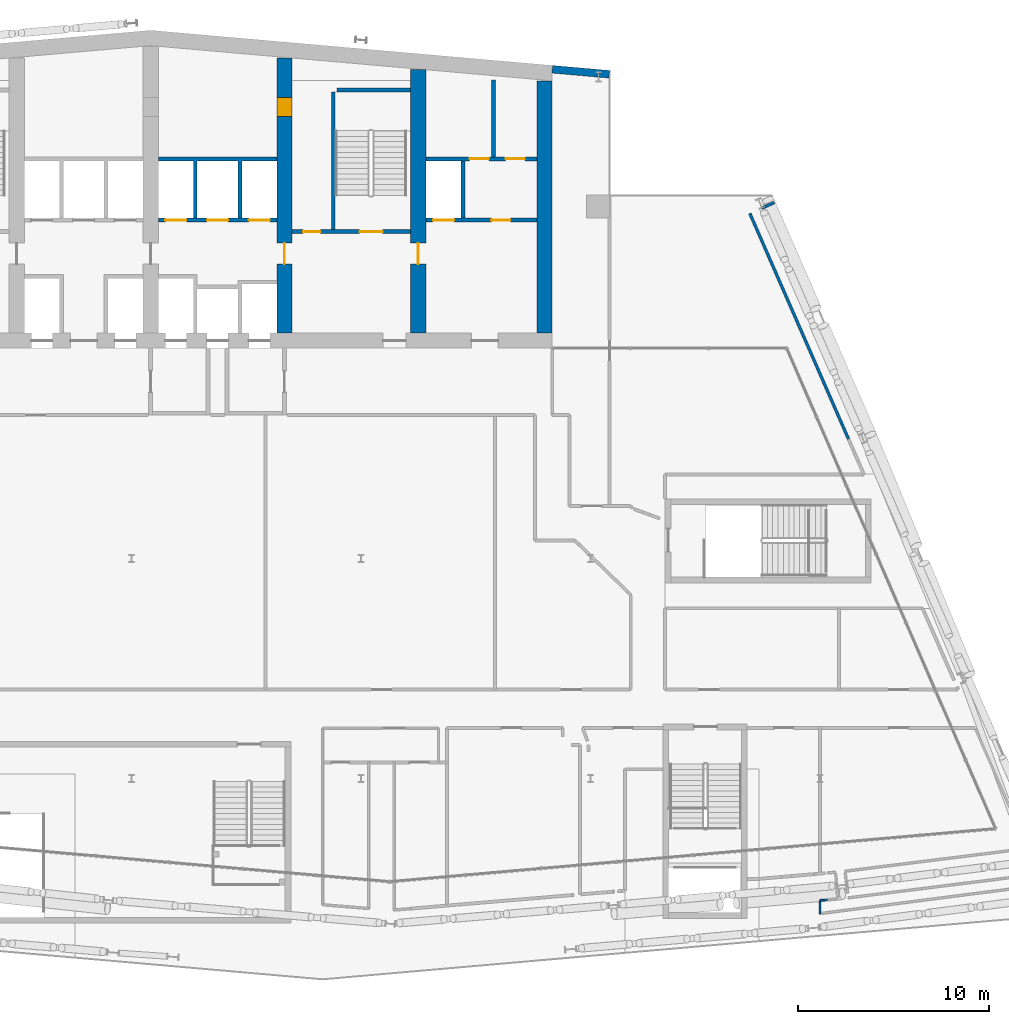
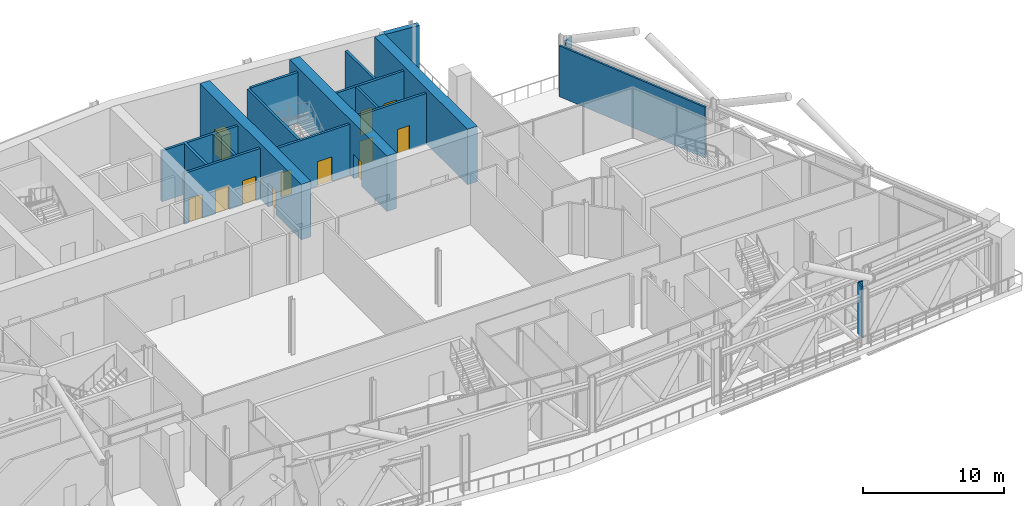
# One storey, part 17 of 35: 17 walls, 12 doors, 12 openings.
"""IFC4 building model written with IfcOpenShell, lengths in metres."""

from ifc_helpers import new_model, si_unit, direction, frame, frame_2d, origin, place, context, subcontext, project, spatial, polyline, rectangle, outline, extrude, material, layer, layer_set, type_object, element, fill, save


model = new_model("IFC4")

# Units and contexts
model_context = context("Model", 3, precision=1e-05, world=origin(), true_north=direction((0.0, 1.0)))
body_context = subcontext(model_context, "Body", "Model", "MODEL_VIEW")
ifc_project = project(units=[si_unit("LENGTHUNIT", "METRE"), si_unit("AREAUNIT", "SQUARE_METRE"), si_unit("VOLUMEUNIT", "CUBIC_METRE"), si_unit("PLANEANGLEUNIT", "RADIAN"), si_unit("MASSUNIT", "GRAM", prefix="KILO")], contexts=[model_context])

# Site, building, storey
site_placement = place(None, origin())
site = spatial("IfcSite", under=ifc_project, at=site_placement, CompositionType="ELEMENT")
building_placement = place(site_placement, origin())
building = spatial("IfcBuilding", under=site, at=building_placement, Name="Wharfspan Tower", CompositionType="ELEMENT")
storey_placement = place(building_placement, frame((0.0, 0.0, 202.300049)))
storey = spatial("IfcBuildingStorey", under=building, at=storey_placement, Name="L50", CompositionType="ELEMENT", Elevation=202.300049)

# Wall
ifc_material_1 = material(Name="Calcium silicate masonry", Category="masonry")
ifc_layer_1 = layer(ifc_material_1, 0.199951)
ifc_layer_set_1 = layer_set([ifc_layer_1], Name="Calcium silicate masonry")
wall_type_1 = type_object("IfcWallType", Name="Core room wall 200", PredefinedType="PARTITIONING", material=ifc_layer_set_1)
wall_1_placement = place(storey_placement, frame((54.93335, 44.0, 0.0), z_axis=(0.0, 0.0, 1.0), x_axis=(0.0, 1.0, 0.0)))
element("IfcWall", 1, at=wall_1_placement, inside=storey, type_object=wall_type_1, Name="sw:L50:RP6.1", PredefinedType="PARTITIONING", context=body_context, shape_type="SweptSolid", body=[
    extrude(rectangle(XDim=4.03418, YDim=0.199951, at=frame_2d((2.01709, 0.0))), origin(), (0.0, 0.0, 1.0), 4.399902),
])

# Wall, openings, doors
ifc_material_2 = material(Name="Concrete C60/75", Category="concrete")
ifc_layer_2 = layer(ifc_material_2, 0.800049)
ifc_layer_set_2 = layer_set([ifc_layer_2], Name="Concrete C60/75")
wall_type_2 = type_object("IfcWallType", Name="Core wall 800 C60/75", PredefinedType="SHEAR", material=ifc_layer_set_2)
wall_2_placement = place(storey_placement, frame((44.0, 34.800049, 0.0), z_axis=(0.0, 0.0, 1.0), x_axis=(0.0, 1.0, 0.0)))
wall_2 = element("IfcWall", 2, at=wall_2_placement, inside=storey, type_object=wall_type_2, Name="Core cross wall X5 L50", PredefinedType="SHEAR", context=body_context, shape_type="SweptSolid", body=[
    extrude(rectangle(XDim=14.374023, YDim=0.800049, at=frame_2d((7.187012, 0.0))), origin(), (0.0, 0.0, 1.0), 4.800049),
])
opening_1_placement = place(wall_2_placement, frame((11.312012, 0.0, 0.0)))
opening_1 = element("IfcOpeningElement", 3, at=opening_1_placement, cuts=wall_2, Name="Opening CD50.4X", PredefinedType="OPENING", context=body_context, shape_type="SweptSolid", body=[
    extrude(rectangle(XDim=1.0, YDim=2.100098, at=frame_2d((0.5, 1.050049))), frame((0.0, 0.409912, 0.0), z_axis=(0.0, -1.0, 0.0), x_axis=(1.0, 0.0, 0.0)), (0.0, 0.0, 1.0), 0.820068),
])
opening_2_placement = place(wall_2_placement, frame((3.600098, 0.0, 0.0)))
opening_2 = element("IfcOpeningElement", 4, at=opening_2_placement, cuts=wall_2, Name="Opening CC50.5", PredefinedType="OPENING", context=body_context, shape_type="SweptSolid", body=[
    extrude(rectangle(XDim=1.100098, YDim=2.100098, at=frame_2d((0.550049, 1.050049))), frame((0.0, 0.409912, 0.0), z_axis=(0.0, -1.0, 0.0), x_axis=(1.0, 0.0, 0.0)), (0.0, 0.0, 1.0), 0.820068),
])
ifc_material_3 = material(Name="Steel door leaf", Category="steel")
door_type_1 = type_object("IfcDoorType", Name="Core corridor door 1100x2100", OperationType="SINGLE_SWING_LEFT", PredefinedType="DOOR", material=ifc_material_3)
door_1_placement = place(opening_2_placement, origin())
door_1 = element("IfcDoor", 5, at=door_1_placement, inside=storey, type_object=door_type_1, Name="xd:L50:5", OperationType="SINGLE_SWING_LEFT", OverallHeight=2.100098, OverallWidth=1.100098, PredefinedType="DOOR", context=body_context, shape_type="SweptSolid", body=[
    extrude(rectangle(XDim=1.100098, YDim=2.100098, at=frame_2d((0.550049, 1.050049))), frame((0.0, 0.024902, 0.0), z_axis=(0.0, -1.0, 0.0), x_axis=(1.0, 0.0, 0.0)), (0.0, 0.0, 1.0), 0.050049),
])
fill(opening_2, door_1)
door_type_2 = type_object("IfcDoorType", Name="Core room door 1000x2100", OperationType="SINGLE_SWING_LEFT", PredefinedType="DOOR", material=ifc_material_3)
door_2_placement = place(opening_1_placement, origin())
door_2 = element("IfcDoor", 6, at=door_2_placement, inside=storey, type_object=door_type_2, Name="d:L50:4:sx", OperationType="SINGLE_SWING_LEFT", OverallHeight=2.100098, OverallWidth=1.0, PredefinedType="DOOR", context=body_context, shape_type="SweptSolid", body=[
    extrude(rectangle(XDim=1.0, YDim=2.100098, at=frame_2d((0.5, 1.050049))), frame((0.0, 0.399902, 0.0), z_axis=(0.0, -1.0, 0.0), x_axis=(1.0, 0.0, 0.0)), (0.0, 0.0, 1.0), 0.799561),
])
fill(opening_1, door_2)

# Wall, opening, door
wall_3_placement = place(storey_placement, frame((51.0, 34.800049, 0.0), z_axis=(0.0, 0.0, 1.0), x_axis=(0.0, 1.0, 0.0)))
wall_3 = element("IfcWall", 7, at=wall_3_placement, inside=storey, type_object=wall_type_2, Name="Core cross wall X6 L50", PredefinedType="SHEAR", context=body_context, shape_type="SweptSolid", body=[
    extrude(rectangle(XDim=13.761719, YDim=0.800049, at=frame_2d((6.880859, 0.0))), origin(), (0.0, 0.0, 1.0), 4.800049),
])
opening_3_placement = place(wall_3_placement, frame((3.600098, 0.0, 0.0)))
opening_3 = element("IfcOpeningElement", 8, at=opening_3_placement, cuts=wall_3, Name="Opening CC50.6", PredefinedType="OPENING", context=body_context, shape_type="SweptSolid", body=[
    extrude(rectangle(XDim=1.100098, YDim=2.100098, at=frame_2d((0.550049, 1.050049))), frame((0.0, 0.409912, 0.0), z_axis=(0.0, -1.0, 0.0), x_axis=(1.0, 0.0, 0.0)), (0.0, 0.0, 1.0), 0.820068),
])
door_3_placement = place(opening_3_placement, origin())
door_3 = element("IfcDoor", 9, at=door_3_placement, inside=storey, type_object=door_type_1, Name="xd:L50:6", OperationType="SINGLE_SWING_RIGHT", OverallHeight=2.100098, OverallWidth=1.100098, PredefinedType="DOOR", context=body_context, shape_type="SweptSolid", body=[
    extrude(rectangle(XDim=1.100098, YDim=2.100098, at=frame_2d((0.550049, 1.050049))), frame((0.0, 0.024902, 0.0), z_axis=(0.0, -1.0, 0.0), x_axis=(1.0, 0.0, 0.0)), (0.0, 0.0, 1.0), 0.050049),
])
fill(opening_3, door_3)

# Wall
wall_4_placement = place(storey_placement, frame((57.600098, 34.800049, 0.0), z_axis=(0.0, 0.0, 1.0), x_axis=(0.0, 1.0, 0.0)))
element("IfcWall", 10, at=wall_4_placement, inside=storey, type_object=wall_type_2, Name="Core cross wall EW1 L50", PredefinedType="SHEAR", context=body_context, shape_type="SweptSolid", body=[
    extrude(rectangle(XDim=13.184326, YDim=0.800049, at=frame_2d((6.592285, 0.0))), origin(), (0.0, 0.0, 1.0), 4.800049),
])

# Wall, openings, doors
ifc_material_4 = material(Name="Concrete C30/37", Category="concrete")
ifc_layer_3 = layer(ifc_material_4, 0.199951)
ifc_layer_set_3 = layer_set([ifc_layer_3], Name="Concrete C30/37")
wall_type_3 = type_object("IfcWallType", Name="Lift shaft wall 200", PredefinedType="PARTITIONING", material=ifc_layer_set_3)
wall_5_placement = place(storey_placement, frame((37.399902, 40.699951, 0.0), z_axis=(0.0, 0.0, 1.0), x_axis=(1.0, 0.0, 0.0)))
wall_5 = element("IfcWall", 11, at=wall_5_placement, inside=storey, type_object=wall_type_3, Name="sw:L50:RF4", PredefinedType="PARTITIONING", context=body_context, shape_type="SweptSolid", body=[
    extrude(rectangle(XDim=6.200195, YDim=0.199951, at=frame_2d((3.100098, 0.0))), origin(), (0.0, 0.0, 1.0), 4.399902),
])
opening_4_placement = place(wall_5_placement, frame((0.366699, 0.0, 0.0)))
opening_4 = element("IfcOpeningElement", 12, at=opening_4_placement, cuts=wall_5, Name="Opening LD.LB4.L50", PredefinedType="OPENING", context=body_context, shape_type="SweptSolid", body=[
    extrude(rectangle(XDim=1.100098, YDim=2.100098, at=frame_2d((0.550049, 1.050049))), frame((0.0, 0.109863, 0.0), z_axis=(0.0, -1.0, 0.0), x_axis=(1.0, 0.0, 0.0)), (0.0, 0.0, 1.0), 0.219971),
])
opening_5_placement = place(wall_5_placement, frame((2.550049, 0.0, 0.0)))
opening_5 = element("IfcOpeningElement", 13, at=opening_5_placement, cuts=wall_5, Name="Opening LD.LB5.L50", PredefinedType="OPENING", context=body_context, shape_type="SweptSolid", body=[
    extrude(rectangle(XDim=1.100098, YDim=2.100098, at=frame_2d((0.550049, 1.050049))), frame((0.0, 0.109863, 0.0), z_axis=(0.0, -1.0, 0.0), x_axis=(1.0, 0.0, 0.0)), (0.0, 0.0, 1.0), 0.219971),
])
opening_6_placement = place(wall_5_placement, frame((4.733398, 0.0, 0.0)))
opening_6 = element("IfcOpeningElement", 14, at=opening_6_placement, cuts=wall_5, Name="Opening LD.LB6.L50", PredefinedType="OPENING", context=body_context, shape_type="SweptSolid", body=[
    extrude(rectangle(XDim=1.100098, YDim=2.100098, at=frame_2d((0.550049, 1.050049))), frame((0.0, 0.109863, 0.0), z_axis=(0.0, -1.0, 0.0), x_axis=(1.0, 0.0, 0.0)), (0.0, 0.0, 1.0), 0.219971),
])
ifc_material_5 = material(Name="Stainless steel", Category="steel")
door_type_3 = type_object("IfcDoorType", Name="Lift landing door 1100x2100", OperationType="DOUBLE_DOOR_SLIDING", PredefinedType="DOOR", material=ifc_material_5)
door_4_placement = place(opening_4_placement, origin())
door_4 = element("IfcDoor", 15, at=door_4_placement, inside=storey, type_object=door_type_3, Name="Landing door LB4 L50", OperationType="DOUBLE_DOOR_SLIDING", OverallHeight=2.100098, OverallWidth=1.100098, PredefinedType="DOOR", context=body_context, shape_type="SweptSolid", body=[
    extrude(rectangle(XDim=1.100098, YDim=2.100098, at=frame_2d((0.550049, 1.050049))), frame((0.0, 0.024902, 0.0), z_axis=(0.0, -1.0, 0.0), x_axis=(1.0, 0.0, 0.0)), (0.0, 0.0, 1.0), 0.050049),
])
fill(opening_4, door_4)
door_5_placement = place(opening_5_placement, origin())
door_5 = element("IfcDoor", 16, at=door_5_placement, inside=storey, type_object=door_type_3, Name="Landing door LB5 L50", OperationType="DOUBLE_DOOR_SLIDING", OverallHeight=2.100098, OverallWidth=1.100098, PredefinedType="DOOR", context=body_context, shape_type="SweptSolid", body=[
    extrude(rectangle(XDim=1.100098, YDim=2.100098, at=frame_2d((0.550049, 1.050049))), frame((0.0, 0.024902, 0.0), z_axis=(0.0, -1.0, 0.0), x_axis=(1.0, 0.0, 0.0)), (0.0, 0.0, 1.0), 0.050049),
])
fill(opening_5, door_5)
door_6_placement = place(opening_6_placement, origin())
door_6 = element("IfcDoor", 17, at=door_6_placement, inside=storey, type_object=door_type_3, Name="Landing door LB6 L50", OperationType="DOUBLE_DOOR_SLIDING", OverallHeight=2.100098, OverallWidth=1.100098, PredefinedType="DOOR", context=body_context, shape_type="SweptSolid", body=[
    extrude(rectangle(XDim=1.100098, YDim=2.100098, at=frame_2d((0.550049, 1.050049))), frame((0.0, 0.024902, 0.0), z_axis=(0.0, -1.0, 0.0), x_axis=(1.0, 0.0, 0.0)), (0.0, 0.0, 1.0), 0.050049),
])
fill(opening_6, door_6)

# Wall
wall_6_placement = place(storey_placement, frame((0.0, 0.0, -0.000244)))
element("IfcWall", 18, at=wall_6_placement, inside=storey, type_object=wall_type_3, Name="sw:L50:RM4.0", PredefinedType="PARTITIONING", context=body_context, shape_type="SweptSolid", body=[
    extrude(outline(polyline([(39.43335, 40.800049), (39.233398, 40.800049), (39.233398, 43.800049), (37.399902, 43.800049), (37.399902, 44.0), (43.600098, 44.0), (43.600098, 43.800049), (41.766602, 43.800049), (41.766602, 40.800049), (41.56665, 40.800049), (41.56665, 43.800049), (39.43335, 43.800049), (39.43335, 40.800049)])), origin(), (0.0, 0.0, 1.0), 4.400146),
])

# Wall, openings, doors
wall_7_placement = place(storey_placement, frame((51.399902, 40.699951, 0.0), z_axis=(0.0, 0.0, 1.0), x_axis=(1.0, 0.0, 0.0)))
wall_7 = element("IfcWall", 19, at=wall_7_placement, inside=storey, type_object=wall_type_3, Name="sw:L50:RF6", PredefinedType="PARTITIONING", context=body_context, shape_type="SweptSolid", body=[
    extrude(rectangle(XDim=5.800049, YDim=0.199951, at=frame_2d((2.899902, 0.0))), origin(), (0.0, 0.0, 1.0), 4.399902),
])
opening_7_placement = place(wall_7_placement, frame((0.366699, 0.0, 0.0)))
opening_7 = element("IfcOpeningElement", 20, at=opening_7_placement, cuts=wall_7, Name="Opening LD.LB8.L50", PredefinedType="OPENING", context=body_context, shape_type="SweptSolid", body=[
    extrude(rectangle(XDim=1.100098, YDim=2.100098, at=frame_2d((0.550049, 1.050049))), frame((0.0, 0.109863, 0.0), z_axis=(0.0, -1.0, 0.0), x_axis=(1.0, 0.0, 0.0)), (0.0, 0.0, 1.0), 0.219971),
])
opening_8_placement = place(wall_7_placement, frame((3.416748, 0.0, 0.0)))
opening_8 = element("IfcOpeningElement", 21, at=opening_8_placement, cuts=wall_7, Name="Opening CD50.6R2", PredefinedType="OPENING", context=body_context, shape_type="SweptSolid", body=[
    extrude(rectangle(XDim=1.0, YDim=2.100098, at=frame_2d((0.5, 1.050049))), frame((0.0, 0.109863, 0.0), z_axis=(0.0, -1.0, 0.0), x_axis=(1.0, 0.0, 0.0)), (0.0, 0.0, 1.0), 0.219971),
])
door_7_placement = place(opening_8_placement, origin())
door_7 = element("IfcDoor", 22, at=door_7_placement, inside=storey, type_object=door_type_2, Name="d:L50:6:rd6.2", OperationType="SINGLE_SWING_RIGHT", OverallHeight=2.100098, OverallWidth=1.0, PredefinedType="DOOR", context=body_context, shape_type="SweptSolid", body=[
    extrude(rectangle(XDim=1.0, YDim=2.100098, at=frame_2d((0.5, 1.050049))), frame((0.0, 0.024902, 0.0), z_axis=(0.0, -1.0, 0.0), x_axis=(1.0, 0.0, 0.0)), (0.0, 0.0, 1.0), 0.050049),
])
fill(opening_8, door_7)
door_8_placement = place(opening_7_placement, origin())
door_8 = element("IfcDoor", 23, at=door_8_placement, inside=storey, type_object=door_type_3, Name="Landing door LB8 L50", OperationType="DOUBLE_DOOR_SLIDING", OverallHeight=2.100098, OverallWidth=1.100098, PredefinedType="DOOR", context=body_context, shape_type="SweptSolid", body=[
    extrude(rectangle(XDim=1.100098, YDim=2.100098, at=frame_2d((0.550049, 1.050049))), frame((0.0, 0.024902, 0.0), z_axis=(0.0, -1.0, 0.0), x_axis=(1.0, 0.0, 0.0)), (0.0, 0.0, 1.0), 0.050049),
])
fill(opening_7, door_8)

wall_8_placement = place(storey_placement, frame((51.399902, 43.899902, 0.0), z_axis=(0.0, 0.0, 1.0), x_axis=(1.0, 0.0, 0.0)))
wall_8 = element("IfcWall", 24, at=wall_8_placement, inside=storey, type_object=wall_type_3, Name="sw:L50:RR6", PredefinedType="PARTITIONING", context=body_context, shape_type="SweptSolid", body=[
    extrude(rectangle(XDim=5.800049, YDim=0.199951, at=frame_2d((2.899902, 0.0))), origin(), (0.0, 0.0, 1.0), 4.399902),
])
opening_9_placement = place(wall_8_placement, frame((2.283203, 0.0, 0.0)))
opening_9 = element("IfcOpeningElement", 25, at=opening_9_placement, cuts=wall_8, Name="Opening CD50.6S2", PredefinedType="OPENING", context=body_context, shape_type="SweptSolid", body=[
    extrude(rectangle(XDim=1.0, YDim=2.100098, at=frame_2d((0.5, 1.050049))), frame((0.0, 0.109863, 0.0), z_axis=(0.0, -1.0, 0.0), x_axis=(1.0, 0.0, 0.0)), (0.0, 0.0, 1.0), 0.219971),
])
opening_10_placement = place(wall_8_placement, frame((4.166748, 0.0, 0.0)))
opening_10 = element("IfcOpeningElement", 26, at=opening_10_placement, cuts=wall_8, Name="Opening CD50.6S2a", PredefinedType="OPENING", context=body_context, shape_type="SweptSolid", body=[
    extrude(rectangle(XDim=1.0, YDim=2.100098, at=frame_2d((0.5, 1.050049))), frame((0.0, 0.109863, 0.0), z_axis=(0.0, -1.0, 0.0), x_axis=(1.0, 0.0, 0.0)), (0.0, 0.0, 1.0), 0.219971),
])
door_9_placement = place(opening_9_placement, origin())
door_9 = element("IfcDoor", 27, at=door_9_placement, inside=storey, type_object=door_type_2, Name="d:L50:6:rs6.2", OperationType="SINGLE_SWING_LEFT", OverallHeight=2.100098, OverallWidth=1.0, PredefinedType="DOOR", context=body_context, shape_type="SweptSolid", body=[
    extrude(rectangle(XDim=1.0, YDim=2.100098, at=frame_2d((0.5, 1.050049))), frame((0.0, 0.024902, 0.0), z_axis=(0.0, -1.0, 0.0), x_axis=(1.0, 0.0, 0.0)), (0.0, 0.0, 1.0), 0.050049),
])
fill(opening_9, door_9)
door_10_placement = place(opening_10_placement, origin())
door_10 = element("IfcDoor", 28, at=door_10_placement, inside=storey, type_object=door_type_2, Name="d:L50:6:rs6.2a", OperationType="SINGLE_SWING_LEFT", OverallHeight=2.100098, OverallWidth=1.0, PredefinedType="DOOR", context=body_context, shape_type="SweptSolid", body=[
    extrude(rectangle(XDim=1.0, YDim=2.100098, at=frame_2d((0.5, 1.050049))), frame((0.0, 0.024902, 0.0), z_axis=(0.0, -1.0, 0.0), x_axis=(1.0, 0.0, 0.0)), (0.0, 0.0, 1.0), 0.050049),
])
fill(opening_10, door_10)

# Walls
wall_9_placement = place(storey_placement, frame((0.0, 0.0, -0.000244)))
element("IfcWall", 29, at=wall_9_placement, inside=storey, type_object=wall_type_3, Name="sw:L50:RM6.0", PredefinedType="PARTITIONING", context=body_context, shape_type="SweptSolid", body=[
    extrude(outline(polyline([(53.43335, 40.800049), (53.43335, 43.800049), (53.233398, 43.800049), (53.233398, 40.800049), (53.43335, 40.800049)])), origin(), (0.0, 0.0, 1.0), 4.400146),
])
ifc_material_6 = material(Name="Gypsum board on steel studs", Category="steel")
ifc_layer_4 = layer(ifc_material_6, 0.100098)
ifc_layer_set_4 = layer_set([ifc_layer_4], Name="Gypsum board on steel studs")
wall_type_4 = type_object("IfcWallType", Name="Partition 100", PredefinedType="PARTITIONING", material=ifc_layer_set_4)
wall_10_placement = place(storey_placement, frame((72.0, 4.435059, 0.0), z_axis=(0.0, 0.0, 1.0), x_axis=(0.0, 1.0, 0.0)))
element("IfcWall", 30, at=wall_10_placement, inside=storey, type_object=wall_type_4, Name="Partition L50.w105", PredefinedType="PARTITIONING", context=body_context, shape_type="SweptSolid", body=[
    extrude(rectangle(XDim=0.685059, YDim=0.100098, at=frame_2d((0.342529, 0.0))), origin(), (0.0, 0.0, 1.0), 4.399902),
])
wall_11_placement = place(storey_placement, frame((72.0, 5.120117, 0.0), z_axis=(0.0, 0.0, 1.0), x_axis=(0.996121, 0.088038, 0.0)))
element("IfcWall", 31, at=wall_11_placement, inside=storey, type_object=wall_type_4, Name="Partition L50.w106", PredefinedType="PARTITIONING", context=body_context, shape_type="SweptSolid", body=[
    extrude(rectangle(XDim=0.396484, YDim=0.100098, at=frame_2d((0.198242, 0.0))), origin(), (0.0, 0.0, 1.0), 4.399902),
])
ifc_layer_5 = layer(ifc_material_6, 0.149902)
ifc_layer_set_5 = layer_set([ifc_layer_5], Name="Gypsum board on steel studs")
wall_type_5 = type_object("IfcWallType", Name="Plant room wall 150 EI 120", PredefinedType="PARTITIONING", material=ifc_layer_set_5)
wall_12_placement = place(storey_placement, frame((68.949951, 41.324951, 0.0), z_axis=(0.0, 0.0, 1.0), x_axis=(0.916633, 0.399722, 0.0)))
element("IfcWall", 32, at=wall_12_placement, inside=storey, type_object=wall_type_5, Name="Partition L50.w099", PredefinedType="PARTITIONING", context=body_context, shape_type="SweptSolid", body=[
    extrude(rectangle(XDim=0.725098, YDim=0.149902, at=frame_2d((0.362549, 0.0))), origin(), (0.0, 0.0, 1.0), 4.399902),
])
wall_13_placement = place(storey_placement, frame((73.489014, 29.254639, 0.0), z_axis=(0.0, 0.0, 1.0), x_axis=(-0.400613, 0.916248, 0.0)))
element("IfcWall", 33, at=wall_13_placement, inside=storey, type_object=wall_type_5, Name="Partition L50.w117", PredefinedType="PARTITIONING", context=body_context, shape_type="SweptSolid", body=[
    extrude(rectangle(XDim=12.869141, YDim=0.149902, at=frame_2d((6.43457, 0.0))), origin(), (0.0, 0.0, 1.0), 4.399902),
])

# Wall, openings, doors
ifc_material_7 = material(Name="Concrete C40/50", Category="concrete")
ifc_layer_6 = layer(ifc_material_7, 0.199951)
ifc_layer_set_6 = layer_set([ifc_layer_6], Name="Concrete C40/50")
wall_type_6 = type_object("IfcWallType", Name="Stair shaft wall 200", PredefinedType="SHEAR", material=ifc_layer_set_6)
wall_14_placement = place(storey_placement, frame((44.399902, 40.100098, 0.0), z_axis=(0.0, 0.0, 1.0), x_axis=(1.0, 0.0, 0.0)))
wall_14 = element("IfcWall", 34, at=wall_14_placement, inside=storey, type_object=wall_type_6, Name="ST2 stair enclosure wall L50", PredefinedType="SHEAR", context=body_context, shape_type="SweptSolid", body=[
    extrude(rectangle(XDim=6.200195, YDim=0.199951, at=frame_2d((3.100098, 0.0))), origin(), (0.0, 0.0, 1.0), 4.399902),
])
opening_11_placement = place(wall_14_placement, frame((3.524902, 0.0, 0.0)))
opening_11 = element("IfcOpeningElement", 35, at=opening_11_placement, cuts=wall_14, Name="Opening SD5.L50", PredefinedType="OPENING", context=body_context, shape_type="SweptSolid", body=[
    extrude(rectangle(XDim=1.199951, YDim=2.100098, at=frame_2d((0.600098, 1.050049))), frame((0.0, 0.109863, 0.0), z_axis=(0.0, -1.0, 0.0), x_axis=(1.0, 0.0, 0.0)), (0.0, 0.0, 1.0), 0.219971),
])
opening_12_placement = place(wall_14_placement, frame((0.574951, 0.0, 0.0)))
opening_12 = element("IfcOpeningElement", 36, at=opening_12_placement, cuts=wall_14, Name="Opening CD50.5R", PredefinedType="OPENING", context=body_context, shape_type="SweptSolid", body=[
    extrude(rectangle(XDim=0.899902, YDim=2.100098, at=frame_2d((0.449951, 1.050049))), frame((0.0, 0.109863, 0.0), z_axis=(0.0, -1.0, 0.0), x_axis=(1.0, 0.0, 0.0)), (0.0, 0.0, 1.0), 0.219971),
])
door_11_placement = place(opening_12_placement, origin())
door_11 = element("IfcDoor", 37, at=door_11_placement, inside=storey, type_object=door_type_2, Name="rk:L50:5", OperationType="SINGLE_SWING_LEFT", OverallHeight=2.100098, OverallWidth=0.899902, PredefinedType="DOOR", context=body_context, shape_type="SweptSolid", body=[
    extrude(rectangle(XDim=0.899902, YDim=2.100098, at=frame_2d((0.449951, 1.050049))), frame((0.0, 0.024902, 0.0), z_axis=(0.0, -1.0, 0.0), x_axis=(1.0, 0.0, 0.0)), (0.0, 0.0, 1.0), 0.050049),
])
fill(opening_12, door_11)
door_type_4 = type_object("IfcDoorType", Name="Stair door 1200x2100", OperationType="SINGLE_SWING_LEFT", PredefinedType="DOOR", material=ifc_material_3)
door_12_placement = place(opening_11_placement, origin())
door_12 = element("IfcDoor", 38, at=door_12_placement, inside=storey, type_object=door_type_4, Name="sd:L50:5", OperationType="SINGLE_SWING_RIGHT", OverallHeight=2.100098, OverallWidth=1.199951, PredefinedType="DOOR", context=body_context, shape_type="SweptSolid", body=[
    extrude(rectangle(XDim=1.199951, YDim=2.100098, at=frame_2d((0.600098, 1.050049))), frame((0.0, 0.024902, 0.0), z_axis=(0.0, -1.0, 0.0), x_axis=(1.0, 0.0, 0.0)), (0.0, 0.0, 1.0), 0.050049),
])
fill(opening_11, door_12)

# Walls
wall_15_placement = place(storey_placement, frame((46.550049, 40.199951, 0.0), z_axis=(0.0, 0.0, 1.0), x_axis=(0.0, 1.0, 0.0)))
element("IfcWall", 39, at=wall_15_placement, inside=storey, type_object=wall_type_6, Name="ST2 stair enclosure wall L50", PredefinedType="SHEAR", context=body_context, shape_type="SweptSolid", body=[
    extrude(rectangle(XDim=7.199951, YDim=0.199951, at=frame_2d((3.600098, 0.0))), origin(), (0.0, 0.0, 1.0), 4.399902),
])
wall_16_placement = place(storey_placement, frame((46.75, 47.5, 0.0), z_axis=(0.0, 0.0, 1.0), x_axis=(1.0, 0.0, 0.0)))
element("IfcWall", 40, at=wall_16_placement, inside=storey, type_object=wall_type_6, Name="ST2 stair enclosure wall L50", PredefinedType="SHEAR", context=body_context, shape_type="SweptSolid", body=[
    extrude(rectangle(XDim=3.850098, YDim=0.199951, at=frame_2d((1.925049, 0.0))), origin(), (0.0, 0.0, 1.0), 4.399902),
])
ifc_layer_7 = layer(ifc_material_7, 0.399902)
ifc_layer_set_7 = layer_set([ifc_layer_7], Name="Concrete C40/50")
wall_type_7 = type_object("IfcWallType", Name="WALL EXPOSED CONCRETE 400", PredefinedType="SOLIDWALL", material=ifc_layer_set_7)
wall_17_placement = place(storey_placement, frame((60.982666, 48.325684, 0.0), z_axis=(0.0, 0.0, 1.0), x_axis=(-0.996194, 0.087168, 0.0)))
element("IfcWall", 41, at=wall_17_placement, inside=storey, type_object=wall_type_7, Name="Rear wall N2", PredefinedType="SOLIDWALL", context=body_context, shape_type="SweptSolid", body=[
    extrude(rectangle(XDim=2.994141, YDim=0.399902, at=frame_2d((1.49707, 0.0))), origin(), (0.0, 0.0, 1.0), 4.399902),
])

save(model, "model.ifc")
